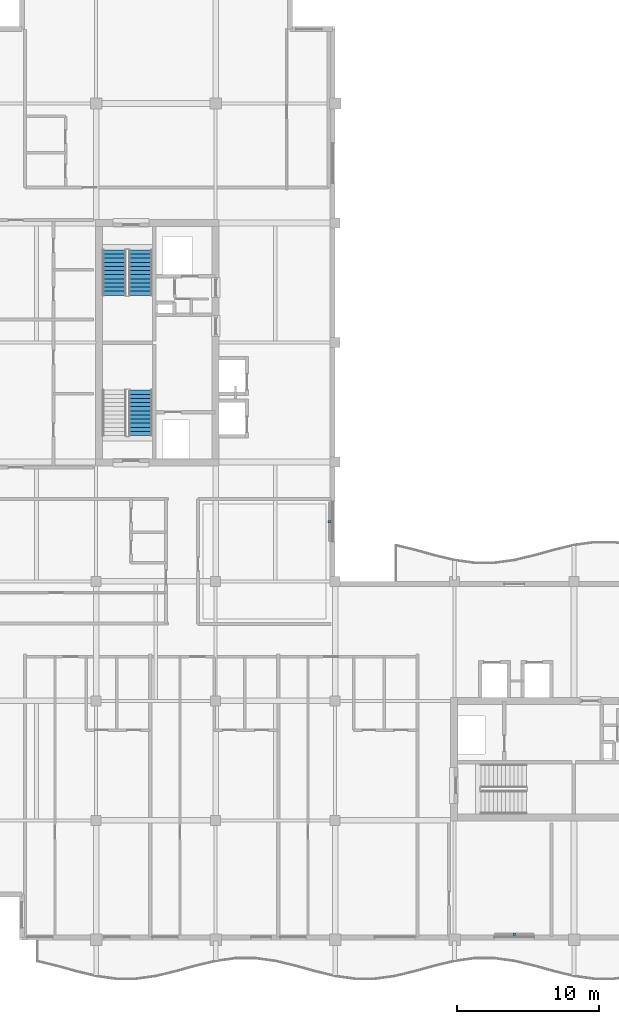
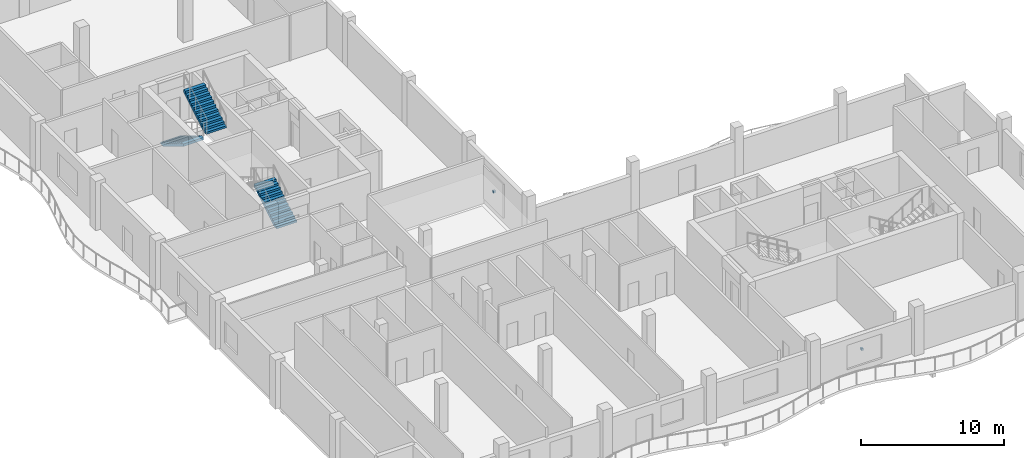
# One storey, part 8 of 11: 3 stair flights, 2 discrete accessories, 2 elements without a shape of their own.
"""IFC4 building model written with IfcOpenShell, lengths in metres."""

from ifc_helpers import new_model, si_unit, direction, frame, origin, origin_2d, place, context, subcontext, project, spatial, polyline, rectangle, outline, extrude, material, type_object, element, aggregate, save


model = new_model("IFC4")

# Units and contexts
model_context = context("Model", 3, precision=1e-05, world=origin(), true_north=direction((0.0, 1.0)))
body_context = subcontext(model_context, "Body", "Model", "MODEL_VIEW")
ifc_project = project(units=[si_unit("LENGTHUNIT", "METRE"), si_unit("AREAUNIT", "SQUARE_METRE"), si_unit("VOLUMEUNIT", "CUBIC_METRE"), si_unit("PLANEANGLEUNIT", "RADIAN"), si_unit("MASSUNIT", "GRAM", prefix="KILO")], contexts=[model_context])

# Site, building, storey
site_placement = place(None, origin())
site = spatial("IfcSite", under=ifc_project, at=site_placement, CompositionType="ELEMENT")
building_placement = place(site_placement, origin())
building = spatial("IfcBuilding", under=site, at=building_placement, Name="Koriwani Terraces Tower", CompositionType="ELEMENT")
storey_placement = place(building_placement, frame((0.0, 0.0, 359.60009765625)))
storey = spatial("IfcBuildingStorey", under=building, at=storey_placement, Name="L89", CompositionType="ELEMENT", Elevation=359.60009765625)

# Stair, stair flight
ifc_material_1 = material(Name="Concrete C40/50", Category="concrete")
stair_type = type_object("IfcStairType", Name="STAIR_CORE_DOGLEG_1650", PredefinedType="TWO_STRAIGHT_RUN_STAIR", material=ifc_material_1)
stair_1_placement = place(storey_placement, origin())
stair_1 = element("IfcStair", 1, at=stair_1_placement, inside=storey, type_object=stair_type, Name="L89 West Core Exit Stair 1", PredefinedType="HALF_TURN_STAIR")
stair_flight_type = type_object("IfcStairFlightType", Name="STAIR_FLIGHT_RC_1650", PredefinedType="STRAIGHT", material=ifc_material_1)
stair_flight_1_placement = place(storey_placement, frame((19.925048828125, 43.85009765625, 0.0), z_axis=(0.0, 0.0, 1.0), x_axis=(0.0, 1.0, 0.0)))
stair_flight_1 = element("IfcStairFlight", 2, at=stair_flight_1_placement, type_object=stair_flight_type, Name="ST-W1 flight 1", NumberOfRisers=12, NumberOfTreads=11, PredefinedType="STRAIGHT", RiserHeight=0.175, TreadLength=0.29, context=body_context, shape_type="SweptSolid", body=[
    extrude(outline(polyline([(0.0, 0.0), (0.0, 0.175048828125), (0.2900390625, 0.175048828125), (0.2900390625, 0.35009765625), (0.580078125, 0.35009765625), (0.580078125, 0.52490234375), (0.8701171875, 0.52490234375), (0.8701171875, 0.699951171875), (1.159912109375, 0.699951171875), (1.159912109375, 0.875), (1.449951171875, 0.875), (1.449951171875, 1.050048828125), (1.739990234375, 1.050048828125), (1.739990234375, 1.22509765625), (2.030029296875, 1.22509765625), (2.030029296875, 1.39990234375), (2.320068359375, 1.39990234375), (2.320068359375, 1.574951171875), (2.610107421875, 1.574951171875), (2.610107421875, 1.75), (2.89990234375, 1.75), (2.89990234375, 1.925048828125), (3.18994140625, 1.925048828125), (3.18994140625, 2.10009765625), (3.18994140625, 1.71484375), (0.34814453125, 0.0), (0.0, 0.0)])), frame((0.0, 0.824951171875, 0.0), z_axis=(0.0, -1.0, 0.0), x_axis=(1.0, 0.0, 0.0)), (0.0, 0.0, 1.0), 1.64990234375),
])
aggregate(stair_1, [stair_flight_1])

# Stair, stair flights
stair_2_placement = place(storey_placement, origin())
stair_2 = element("IfcStair", 3, at=stair_2_placement, inside=storey, type_object=stair_type, Name="L89 West Core Exit Stair 2", PredefinedType="HALF_TURN_STAIR")
stair_flight_2_placement = place(storey_placement, frame((18.074951171875, 56.89990234375, 0.0), z_axis=(0.0, 0.0, 1.0), x_axis=(0.0, -1.0, 0.0)))
stair_flight_2 = element("IfcStairFlight", 4, at=stair_flight_2_placement, type_object=stair_flight_type, Name="ST-W2 flight 1", NumberOfRisers=12, NumberOfTreads=11, PredefinedType="STRAIGHT", RiserHeight=0.175, TreadLength=0.29, context=body_context, shape_type="SweptSolid", body=[
    extrude(outline(polyline([(0.0, 0.0), (0.0, 0.175048828125), (0.2900390625, 0.175048828125), (0.2900390625, 0.35009765625), (0.580078125, 0.35009765625), (0.580078125, 0.52490234375), (0.8701171875, 0.52490234375), (0.8701171875, 0.699951171875), (1.159912109375, 0.699951171875), (1.159912109375, 0.875), (1.449951171875, 0.875), (1.449951171875, 1.050048828125), (1.739990234375, 1.050048828125), (1.739990234375, 1.22509765625), (2.030029296875, 1.22509765625), (2.030029296875, 1.39990234375), (2.320068359375, 1.39990234375), (2.320068359375, 1.574951171875), (2.610107421875, 1.574951171875), (2.610107421875, 1.75), (2.89990234375, 1.75), (2.89990234375, 1.925048828125), (3.18994140625, 1.925048828125), (3.18994140625, 2.10009765625), (3.18994140625, 1.71484375), (0.34814453125, 0.0), (0.0, 0.0)])), frame((0.0, 0.824951171875, 0.0), z_axis=(0.0, -1.0, 0.0), x_axis=(1.0, 0.0, 0.0)), (0.0, 0.0, 1.0), 1.64990234375),
])
stair_flight_3_placement = place(storey_placement, frame((19.925048828125, 53.7099609375, 2.099853515625), z_axis=(0.0, 0.0, 1.0), x_axis=(0.0, 1.0, 0.0)))
stair_flight_3 = element("IfcStairFlight", 5, at=stair_flight_3_placement, type_object=stair_flight_type, Name="ST-W2 flight 2", NumberOfRisers=12, NumberOfTreads=11, PredefinedType="STRAIGHT", RiserHeight=0.175, TreadLength=0.29, context=body_context, shape_type="SweptSolid", body=[
    extrude(outline(polyline([(0.0, 0.0), (0.0, 0.175048828125), (0.2900390625, 0.175048828125), (0.2900390625, 0.35009765625), (0.580078125, 0.35009765625), (0.580078125, 0.52490234375), (0.8701171875, 0.52490234375), (0.8701171875, 0.699951171875), (1.159912109375, 0.699951171875), (1.159912109375, 0.875), (1.449951171875, 0.875), (1.449951171875, 1.050048828125), (1.739990234375, 1.050048828125), (1.739990234375, 1.22509765625), (2.030029296875, 1.22509765625), (2.030029296875, 1.39990234375), (2.320068359375, 1.39990234375), (2.320068359375, 1.574951171875), (2.610107421875, 1.574951171875), (2.610107421875, 1.75), (2.89990234375, 1.75), (2.89990234375, 1.925048828125), (3.18994140625, 1.925048828125), (3.18994140625, 2.10009765625), (3.18994140625, 1.71484375), (0.34814453125, 0.0), (0.0, 0.0)])), frame((0.0, 0.824951171875, 0.0), z_axis=(0.0, -1.0, 0.0), x_axis=(1.0, 0.0, 0.0)), (0.0, 0.0, 1.0), 1.64990234375),
])
aggregate(stair_2, [stair_flight_2, stair_flight_3])

# Discrete accessories
ifc_material_2 = material(Name="Steel ASTM A572 Grade 50", Category="steel")
discrete_accessory_type = type_object("IfcDiscreteAccessoryType", Name="BAGUETTE_STANDOFF_BRACKET", PredefinedType="BRACKET", material=ifc_material_2)
for number, where, z_axis, x_axis, name in (
    (6, (33.2099609375, 37.800048828125, 1.85986328125), (0.0, 0.0, 1.0), (0.0, -1.0, 0.0), "L89 Terracotta Baguette Bracket (NW_IN-2)"),
    (7, (46.199951171875, 8.7900390625, 1.4326171875), (0.0, 0.0, 1.0), (-1.0, 0.0, 0.0), "L89 Terracotta Baguette Bracket (S-12)"),
):
    element("IfcDiscreteAccessory", number, at=place(storey_placement, frame(where, z_axis=z_axis, x_axis=x_axis)), inside=storey, type_object=discrete_accessory_type, Name=name, PredefinedType="BRACKET", context=body_context, shape_type="SweptSolid", body=[
        extrude(rectangle(XDim=0.159912109375, YDim=0.199951171875, at=origin_2d()), origin(), (0.0, 0.0, 1.0), 0.179931640625),
    ])

save(model, "model.ifc")
